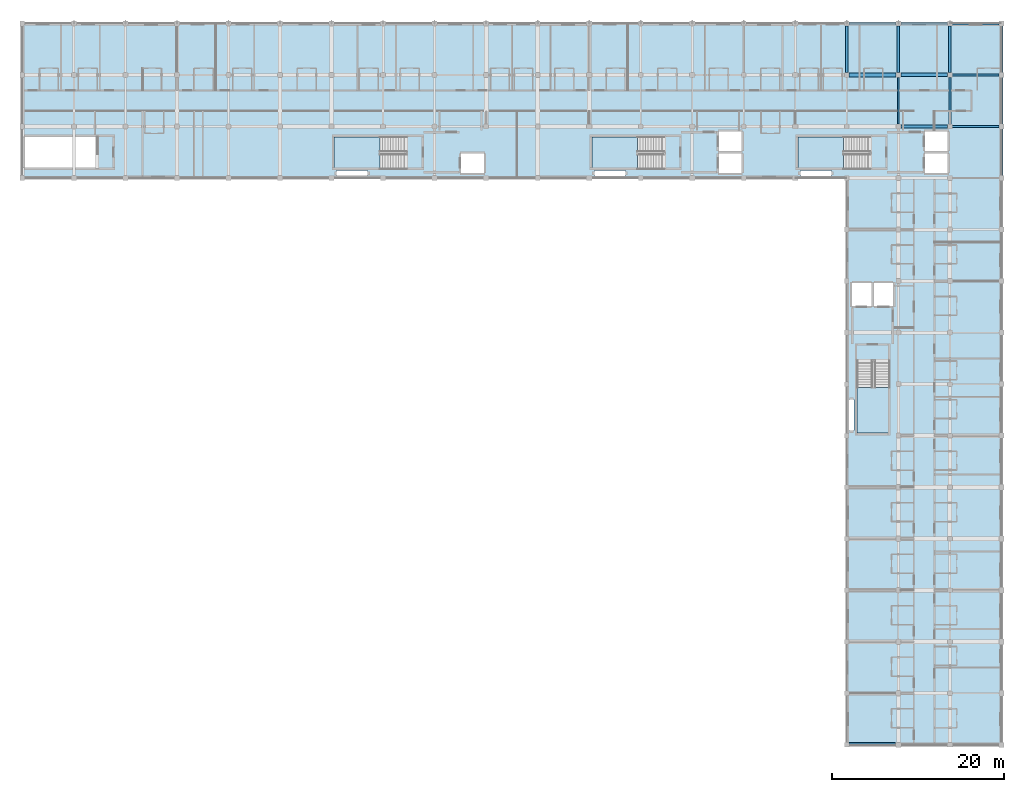
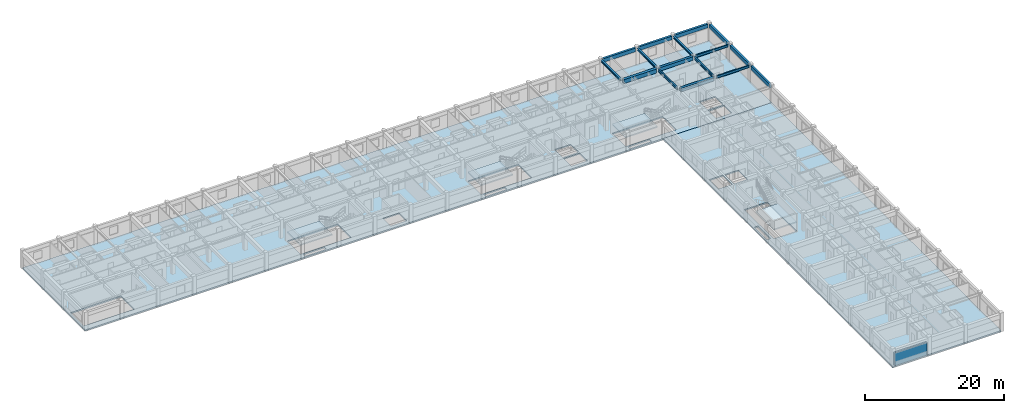
# One storey, part 3 of 21: 16 beams, 6 slabs, 1 wall, 4 elements without a shape of their own.
"""IFC4 building model written with IfcOpenShell, lengths in metres."""

from ifc_helpers import new_model, si_unit, direction, frame, frame_2d, origin, origin_2d, place, context, subcontext, project, spatial, polyline, rectangle, i_section, outline, extrude, material, layer, layer_set, material_profile, profile_set, type_object, element, aggregate, save


model = new_model("IFC4")

# Units and contexts
model_context = context("Model", 3, precision=1e-05, world=origin(), true_north=direction((0.0, 1.0)))
body_context = subcontext(model_context, "Body", "Model", "MODEL_VIEW")
ifc_project = project(units=[si_unit("LENGTHUNIT", "METRE"), si_unit("AREAUNIT", "SQUARE_METRE"), si_unit("VOLUMEUNIT", "CUBIC_METRE"), si_unit("PLANEANGLEUNIT", "RADIAN"), si_unit("MASSUNIT", "GRAM", prefix="KILO"), si_unit("THERMODYNAMICTEMPERATUREUNIT", "KELVIN"), si_unit("POWERUNIT", "WATT")], contexts=[model_context])

# Site, building, storey
site_placement = place(None, origin())
site = spatial("IfcSite", under=ifc_project, at=site_placement, CompositionType="ELEMENT")
building_placement = place(site_placement, origin())
building = spatial("IfcBuilding", under=site, at=building_placement, Name="Phaisarnlok Congress Hotel", CompositionType="ELEMENT")
storey_placement = place(building_placement, frame((0.0, 0.0, 34.800048828125)))
storey = spatial("IfcBuildingStorey", under=building, at=storey_placement, Name="L08", CompositionType="ELEMENT", Elevation=34.800048828125)

# Beams
ifc_material_1 = material(Name="Concrete C40/50", Category="concrete")
ifc_material_profile_1 = material_profile(ifc_material_1, rectangle(XDim=0.39990234375, YDim=0.60009765625, at=origin_2d()), Name="RC 400x600")
ifc_profile_set_1 = profile_set([ifc_material_profile_1], Name="Concrete C40/50")
beam_type_1 = type_object("IfcBeamType", Name="BM-RC-400x600", PredefinedType="BEAM", material=ifc_profile_set_1)
for number, where, z_axis, x_axis, name in (
    (1, (168.294921875, 114.0, 2.77001953125), (1.0, 0.0, 0.0), (0.0, 1.0, 0.0), "Beam B-02"),
    (2, (168.294921875, 120.0, 2.77001953125), (1.0, 0.0, 0.0), (0.0, 1.0, 0.0), "Beam B-02"),
):
    element("IfcBeam", number, at=place(storey_placement, frame(where, z_axis=z_axis, x_axis=x_axis)), inside=storey, type_object=beam_type_1, Name=name, PredefinedType="BEAM", context=body_context, shape_type="SweptSolid", body=[
        extrude(rectangle(XDim=0.39990234375, YDim=0.60009765625, at=origin_2d()), origin(), (0.0, 0.0, 1.0), 5.43505859375),
    ])
ifc_material_profile_2 = material_profile(ifc_material_1, rectangle(XDim=0.449951171875, YDim=0.699951171875, at=origin_2d()), Name="RC 450x700")
ifc_profile_set_2 = profile_set([ifc_material_profile_2], Name="Concrete C40/50")
beam_type_2 = type_object("IfcBeamType", Name="BM-RC-450x700", PredefinedType="BEAM", material=ifc_profile_set_2)
beam_1_placement = place(storey_placement, frame((162.27001953125, 120.0, 2.719970703125), z_axis=(1.0, 0.0, 0.0), x_axis=(0.0, 1.0, 0.0)))
element("IfcBeam", 3, at=beam_1_placement, inside=storey, type_object=beam_type_2, Name="Beam B-03", PredefinedType="BEAM", context=body_context, shape_type="SweptSolid", body=[
    extrude(rectangle(XDim=0.449951171875, YDim=0.699951171875, at=origin_2d()), origin(), (0.0, 0.0, 1.0), 5.43505859375),
])
ifc_material_2 = material(Name="Steel S355", Category="steel")
ifc_material_profile_3 = material_profile(ifc_material_2, i_section(OverallWidth=0.300048828125, OverallDepth=0.340087890625, WebThickness=0.011962890625, FlangeThickness=0.021484375, FilletRadius=0.027099609375, at=origin_2d()), Name="HEB 340")
ifc_profile_set_3 = profile_set([ifc_material_profile_3], Name="Steel S355")
beam_type_3 = type_object("IfcBeamType", Name="BM-STL-HEB340", PredefinedType="BEAM", material=ifc_profile_set_3)
beam_2_placement = place(storey_placement, frame((162.0, 120.27001953125, 2.89990234375), z_axis=(0.0, 1.0, 0.0), x_axis=(-1.0, 0.0, 0.0)))
element("IfcBeam", 4, at=beam_2_placement, inside=storey, type_object=beam_type_3, Name="Beam SB-07", PredefinedType="BEAM", context=body_context, shape_type="SweptSolid", body=[
    extrude(i_section(OverallWidth=0.300048828125, OverallDepth=0.340087890625, WebThickness=0.011962890625, FlangeThickness=0.021484375, FilletRadius=0.027099609375, at=origin_2d()), origin(), (0.0, 0.0, 1.0), 5.4599609375),
])
beam_3_placement = place(storey_placement, frame((168.0, 120.294921875, 2.89990234375), z_axis=(0.0, 1.0, 0.0), x_axis=(-1.0, 0.0, 0.0)))
element("IfcBeam", 5, at=beam_3_placement, inside=storey, type_object=beam_type_3, Name="Beam SB-07", PredefinedType="BEAM", context=body_context, shape_type="SweptSolid", body=[
    extrude(i_section(OverallWidth=0.300048828125, OverallDepth=0.340087890625, WebThickness=0.011962890625, FlangeThickness=0.021484375, FilletRadius=0.027099609375, at=origin_2d()), origin(), (0.0, 0.0, 1.0), 5.41015625),
])
beam_4_placement = place(storey_placement, frame((174.0, 120.27001953125, 2.89990234375), z_axis=(0.0, 1.0, 0.0), x_axis=(-1.0, 0.0, 0.0)))
element("IfcBeam", 6, at=beam_4_placement, inside=storey, type_object=beam_type_3, Name="Beam SB-07", PredefinedType="BEAM", context=body_context, shape_type="SweptSolid", body=[
    extrude(i_section(OverallWidth=0.300048828125, OverallDepth=0.340087890625, WebThickness=0.011962890625, FlangeThickness=0.021484375, FilletRadius=0.027099609375, at=origin_2d()), origin(), (0.0, 0.0, 1.0), 5.4599609375),
])
ifc_material_profile_4 = material_profile(ifc_material_2, i_section(OverallWidth=0.18994140625, OverallDepth=0.449951171875, WebThickness=0.009521484375, FlangeThickness=0.0146484375, FilletRadius=0.02099609375, at=origin_2d()), Name="IPE 450")
ifc_profile_set_4 = profile_set([ifc_material_profile_4], Name="Steel S355")
beam_type_4 = type_object("IfcBeamType", Name="BM-STL-IPE450", PredefinedType="BEAM", material=ifc_profile_set_4)
for number, where, z_axis, x_axis, name in (
    (7, (174.27001953125, 114.0, 2.844970703125), (1.0, 0.0, 0.0), (0.0, 1.0, 0.0), "Beam SB-01"),
    (8, (174.27001953125, 120.0, 2.844970703125), (1.0, 0.0, 0.0), (0.0, 1.0, 0.0), "Beam SB-01"),
):
    element("IfcBeam", number, at=place(storey_placement, frame(where, z_axis=z_axis, x_axis=x_axis)), inside=storey, type_object=beam_type_4, Name=name, PredefinedType="BEAM", context=body_context, shape_type="SweptSolid", body=[
        extrude(i_section(OverallWidth=0.18994140625, OverallDepth=0.449951171875, WebThickness=0.009521484375, FlangeThickness=0.0146484375, FilletRadius=0.02099609375, at=origin_2d()), origin(), (0.0, 0.0, 1.0), 5.43505859375),
    ])
ifc_material_profile_5 = material_profile(ifc_material_2, i_section(OverallWidth=0.199951171875, OverallDepth=0.5, WebThickness=0.01025390625, FlangeThickness=0.01611328125, FilletRadius=0.02099609375, at=origin_2d()), Name="IPE 500")
ifc_profile_set_5 = profile_set([ifc_material_profile_5], Name="Steel S355")
beam_type_5 = type_object("IfcBeamType", Name="BM-STL-IPE500", PredefinedType="BEAM", material=ifc_profile_set_5)
beam_5_placement = place(storey_placement, frame((168.0, 114.294921875, 2.820068359375), z_axis=(0.0, 1.0, 0.0), x_axis=(-1.0, 0.0, 0.0)))
element("IfcBeam", 9, at=beam_5_placement, inside=storey, type_object=beam_type_5, Name="Beam SB-02", PredefinedType="BEAM", context=body_context, shape_type="SweptSolid", body=[
    extrude(i_section(OverallWidth=0.199951171875, OverallDepth=0.5, WebThickness=0.01025390625, FlangeThickness=0.01611328125, FilletRadius=0.02099609375, at=origin_2d()), origin(), (0.0, 0.0, 1.0), 5.41015625),
])
beam_6_placement = place(storey_placement, frame((174.0, 114.27001953125, 2.820068359375), z_axis=(0.0, 1.0, 0.0), x_axis=(-1.0, 0.0, 0.0)))
element("IfcBeam", 10, at=beam_6_placement, inside=storey, type_object=beam_type_5, Name="Beam SB-02", PredefinedType="BEAM", context=body_context, shape_type="SweptSolid", body=[
    extrude(i_section(OverallWidth=0.199951171875, OverallDepth=0.5, WebThickness=0.01025390625, FlangeThickness=0.01611328125, FilletRadius=0.02099609375, at=origin_2d()), origin(), (0.0, 0.0, 1.0), 5.4599609375),
])
ifc_material_profile_6 = material_profile(ifc_material_1, rectangle(XDim=0.35009765625, YDim=0.64990234375, at=origin_2d()), Name="RC 350x650")
ifc_profile_set_6 = profile_set([ifc_material_profile_6], Name="Concrete C40/50")
beam_type_6 = type_object("IfcBeamType", Name="SP-RC-350x650", PredefinedType="SPANDREL", material=ifc_profile_set_6)
for number, where, z_axis, x_axis, name in (
    (11, (162.27001953125, 126.0, 2.744873046875), (1.0, 0.0, 0.0), (0.0, 1.0, 0.0), "Beam SP-01"),
    (12, (168.294921875, 126.0, 2.744873046875), (1.0, 0.0, 0.0), (0.0, 1.0, 0.0), "Beam SP-01"),
    (13, (174.27001953125, 126.0, 2.744873046875), (1.0, 0.0, 0.0), (0.0, 1.0, 0.0), "Beam SP-01"),
):
    element("IfcBeam", number, at=place(storey_placement, frame(where, z_axis=z_axis, x_axis=x_axis)), inside=storey, type_object=beam_type_6, Name=name, PredefinedType="SPANDREL", context=body_context, shape_type="SweptSolid", body=[
        extrude(rectangle(XDim=0.35009765625, YDim=0.64990234375, at=origin_2d()), origin(), (0.0, 0.0, 1.0), 5.43505859375),
    ])
for number, where, z_axis, x_axis, name in (
    (14, (180.0, 108.294921875, 2.744873046875), (0.0, 1.0, 0.0), (-1.0, 0.0, 0.0), "Beam SP-01"),
    (15, (180.0, 114.294921875, 2.744873046875), (0.0, 1.0, 0.0), (-1.0, 0.0, 0.0), "Beam SP-01"),
    (16, (180.0, 120.294921875, 2.744873046875), (0.0, 1.0, 0.0), (-1.0, 0.0, 0.0), "Beam SP-01"),
):
    element("IfcBeam", number, at=place(storey_placement, frame(where, z_axis=z_axis, x_axis=x_axis)), inside=storey, type_object=beam_type_6, Name=name, PredefinedType="SPANDREL", context=body_context, shape_type="SweptSolid", body=[
        extrude(rectangle(XDim=0.35009765625, YDim=0.64990234375, at=origin_2d()), origin(), (0.0, 0.0, 1.0), 5.41015625),
    ])

# Slabs
ifc_layer_1 = layer(ifc_material_1, 0.22998046875, Name="Concrete C40/50")
ifc_layer_set_1 = layer_set([ifc_layer_1], Name="Concrete C40/50")
slab_type_1 = type_object("IfcSlabType", Name="SLB-INT-230", PredefinedType="FLOOR", material=ifc_layer_set_1)
slab_1_placement = place(storey_placement, frame((0.0, 0.0, -0.22998046875)))
element("IfcSlab", 17, at=slab_1_placement, inside=storey, type_object=slab_type_1, Name="Floor slab SL-INT-230 (L08 v5_n)", PredefinedType="FLOOR", context=body_context, shape_type="SweptSolid", body=[
    extrude(outline(polyline([(180.0, 108.0), (180.0, 126.0), (66.0, 126.0), (66.0, 108.0), (180.0, 108.0)]), holes=[polyline([(164.719970703125, 112.800048828125), (156.300048828125, 112.800048828125), (156.300048828125, 109.0), (164.719970703125, 109.0), (164.719970703125, 112.800048828125)]), polyline([(140.719970703125, 112.800048828125), (132.300048828125, 112.800048828125), (132.300048828125, 109.0), (140.719970703125, 109.0), (140.719970703125, 112.800048828125)]), polyline([(110.719970703125, 112.800048828125), (102.300048828125, 112.800048828125), (102.300048828125, 109.0), (110.719970703125, 109.0), (110.719970703125, 112.800048828125)]), polyline([(74.719970703125, 112.800048828125), (66.300048828125, 112.800048828125), (66.300048828125, 109.0), (74.719970703125, 109.0), (74.719970703125, 112.800048828125)]), polyline([(173.75, 108.60009765625), (173.75, 110.85009765625), (171.10009765625, 110.85009765625), (171.10009765625, 108.60009765625), (173.75, 108.60009765625)]), polyline([(173.75, 111.14990234375), (173.75, 113.39990234375), (171.10009765625, 113.39990234375), (171.10009765625, 111.14990234375), (173.75, 111.14990234375)]), polyline([(160.199951171875, 108.25), (160.199951171875, 108.85009765625), (156.60009765625, 108.85009765625), (156.60009765625, 108.25), (160.199951171875, 108.25)]), polyline([(149.75, 108.60009765625), (149.75, 110.85009765625), (147.10009765625, 110.85009765625), (147.10009765625, 108.60009765625), (149.75, 108.60009765625)]), polyline([(149.75, 111.14990234375), (149.75, 113.39990234375), (147.10009765625, 113.39990234375), (147.10009765625, 111.14990234375), (149.75, 111.14990234375)]), polyline([(136.199951171875, 108.25), (136.199951171875, 108.85009765625), (132.60009765625, 108.85009765625), (132.60009765625, 108.25), (136.199951171875, 108.25)]), polyline([(119.75, 108.60009765625), (119.75, 110.85009765625), (117.10009765625, 110.85009765625), (117.10009765625, 108.60009765625), (119.75, 108.60009765625)]), polyline([(106.199951171875, 108.25), (106.199951171875, 108.85009765625), (102.60009765625, 108.85009765625), (102.60009765625, 108.25), (106.199951171875, 108.25)])]), origin(), (0.0, 0.0, 1.0), 0.22998046875),
])
slab_2_placement = place(storey_placement, frame((0.0, 0.0, -0.22998046875)))
element("IfcSlab", 18, at=slab_2_placement, inside=storey, type_object=slab_type_1, Name="Floor slab SL-INT-230 (L08 v5_e)", PredefinedType="FLOOR", context=body_context, shape_type="SweptSolid", body=[
    extrude(outline(polyline([(180.0, 42.0), (180.0, 108.0), (162.0, 108.0), (162.0, 42.0), (180.0, 42.0)]), holes=[polyline([(163.199951171875, 86.719970703125), (163.199951171875, 78.300048828125), (167.0, 78.300048828125), (167.0, 86.719970703125), (163.199951171875, 86.719970703125)]), polyline([(164.85009765625, 93.10009765625), (164.85009765625, 95.75), (162.60009765625, 95.75), (162.60009765625, 93.10009765625), (164.85009765625, 93.10009765625)]), polyline([(167.39990234375, 93.10009765625), (167.39990234375, 95.75), (165.14990234375, 95.75), (165.14990234375, 93.10009765625), (167.39990234375, 93.10009765625)]), polyline([(162.85009765625, 78.60009765625), (162.85009765625, 82.199951171875), (162.25, 82.199951171875), (162.25, 78.60009765625), (162.85009765625, 78.60009765625)])]), origin(), (0.0, 0.0, 1.0), 0.22998046875),
])

# Stair, slab
stair_type = type_object("IfcStairType", Name="STR-DOG-05", PredefinedType="HALF_TURN_STAIR", material=ifc_material_1)
stair_1_placement = place(storey_placement, origin())
stair_1 = element("IfcStair", 19, at=stair_1_placement, inside=storey, type_object=stair_type, Name="L08 ST-05", PredefinedType="HALF_TURN_STAIR")
ifc_layer_2 = layer(ifc_material_1, 0.199951171875, Name="Concrete C40/50")
ifc_layer_set_2 = layer_set([ifc_layer_2], Name="Concrete C40/50")
slab_type_2 = type_object("IfcSlabType", Name="SLB-LND-200", PredefinedType="LANDING", material=ifc_layer_set_2)
slab_3_placement = place(storey_placement, frame((0.0, 0.0, 1.449951171875)))
slab_3 = element("IfcSlab", 20, at=slab_3_placement, type_object=slab_type_2, Name="ST-05 landing 1", PredefinedType="LANDING", context=body_context, shape_type="SweptSolid", body=[
    extrude(outline(polyline([(161.6201171875, 112.800048828125), (156.300048828125, 112.800048828125), (156.300048828125, 109.0), (161.6201171875, 109.0), (161.6201171875, 112.800048828125)])), origin(), (0.0, 0.0, 1.0), 0.199951171875),
])
aggregate(stair_1, [slab_3])

stair_2_placement = place(storey_placement, origin())
stair_2 = element("IfcStair", 21, at=stair_2_placement, inside=storey, type_object=stair_type, Name="L08 ST-06", PredefinedType="HALF_TURN_STAIR")
slab_4_placement = place(storey_placement, frame((0.0, 0.0, 1.449951171875)))
slab_4 = element("IfcSlab", 22, at=slab_4_placement, type_object=slab_type_2, Name="ST-06 landing 1", PredefinedType="LANDING", context=body_context, shape_type="SweptSolid", body=[
    extrude(outline(polyline([(137.6201171875, 112.800048828125), (132.300048828125, 112.800048828125), (132.300048828125, 109.0), (137.6201171875, 109.0), (137.6201171875, 112.800048828125)])), origin(), (0.0, 0.0, 1.0), 0.199951171875),
])
aggregate(stair_2, [slab_4])

stair_3_placement = place(storey_placement, origin())
stair_3 = element("IfcStair", 23, at=stair_3_placement, inside=storey, type_object=stair_type, Name="L08 ST-07", PredefinedType="HALF_TURN_STAIR")
slab_5_placement = place(storey_placement, frame((0.0, 0.0, 1.449951171875)))
slab_5 = element("IfcSlab", 24, at=slab_5_placement, type_object=slab_type_2, Name="ST-07 landing 1", PredefinedType="LANDING", context=body_context, shape_type="SweptSolid", body=[
    extrude(outline(polyline([(107.6201171875, 112.800048828125), (102.300048828125, 112.800048828125), (102.300048828125, 109.0), (107.6201171875, 109.0), (107.6201171875, 112.800048828125)])), origin(), (0.0, 0.0, 1.0), 0.199951171875),
])
aggregate(stair_3, [slab_5])

stair_4_placement = place(storey_placement, origin())
stair_4 = element("IfcStair", 25, at=stair_4_placement, inside=storey, type_object=stair_type, Name="L08 ST-09", PredefinedType="HALF_TURN_STAIR")
slab_6_placement = place(storey_placement, frame((0.0, 0.0, 1.449951171875)))
slab_6 = element("IfcSlab", 26, at=slab_6_placement, type_object=slab_type_2, Name="ST-09 landing 1", PredefinedType="LANDING", context=body_context, shape_type="SweptSolid", body=[
    extrude(outline(polyline([(163.199951171875, 83.6201171875), (163.199951171875, 78.300048828125), (167.0, 78.300048828125), (167.0, 83.6201171875), (163.199951171875, 83.6201171875)])), origin(), (0.0, 0.0, 1.0), 0.199951171875),
])
aggregate(stair_4, [slab_6])

# Wall
ifc_layer_3 = layer(ifc_material_1, 0.25, Name="Concrete C40/50")
ifc_layer_set_3 = layer_set([ifc_layer_3], Name="Concrete C40/50")
wall_type = type_object("IfcWallType", Name="WL-EXT-250", PredefinedType="SOLIDWALL", material=ifc_layer_set_3)
wall_placement = place(storey_placement, frame((162.280029296875, 42.125, 0.0), z_axis=(0.0, 0.0, 1.0), x_axis=(1.0, 0.0, 0.0)))
element("IfcWall", 27, at=wall_placement, inside=storey, type_object=wall_type, Name="Exterior wall EW-05 (L08)", PredefinedType="SOLIDWALL", context=body_context, shape_type="SweptSolid", body=[
    extrude(rectangle(XDim=5.4150390625, YDim=0.25, at=frame_2d((2.70751953125, 0.0))), origin(), (0.0, 0.0, 1.0), 2.27001953125),
])

save(model, "model.ifc")
